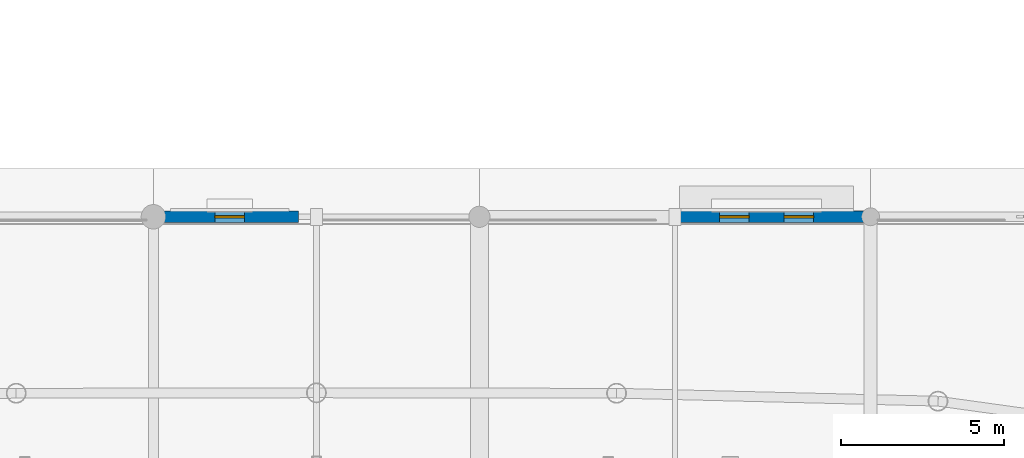
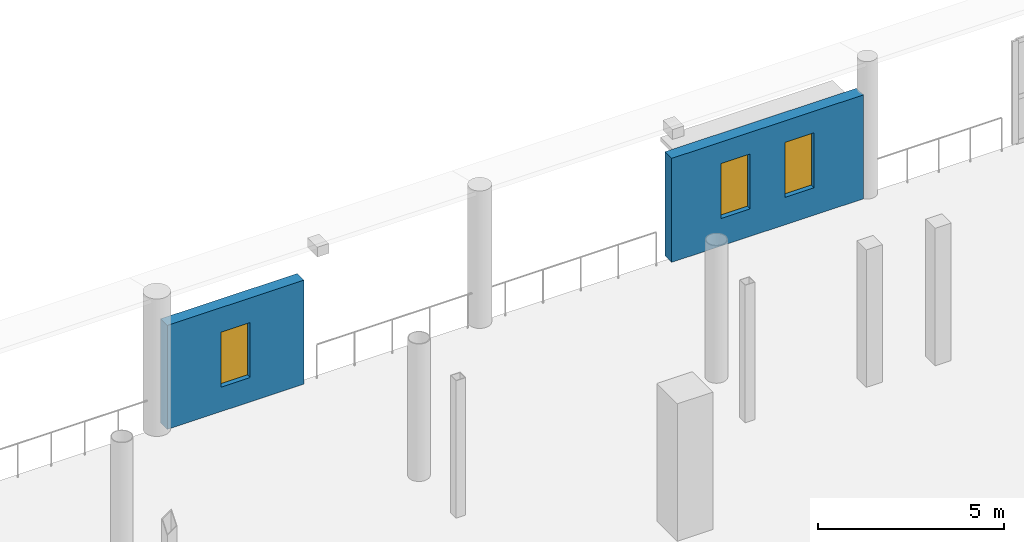
# One storey, part 85 of 118: 3 windows, 2 walls, 3 openings.
"""IFC4 building model written with IfcOpenShell, lengths in metres."""

import ifcopenshell
import ifcopenshell.guid

model = None  # the IFC model being written
_history = None  # IfcOwnerHistory: only IFC2X3 demands one
_inside = {}  # id of a spatial element -> (the spatial element, [elements in it])
_under = {}  # id of a project, library or spatial element -> (it, [spatial elements below it])
_declared = {}  # id of a project -> (the project, [libraries it declares])
_typed = {}  # id of a type object -> (the type object, [elements of that type])
_made_of = {}  # id of a material, layer set ... -> (it, [elements and type objects made of it])


def new_model(schema):
    """Start an empty IFC model of exactly this schema.

    Asked for "IFC4X3", IfcOpenShell would pick the latest addendum, in which some entities
    have other attributes; the version numbers below select the first issue.
    IFC2X3 requires an IfcOwnerHistory on every rooted entity: one is made here for all.
    """
    global model, _history
    if schema == "IFC4X3":
        model = ifcopenshell.file(schema_version=(4, 3, 0, 0))
    else:
        model = ifcopenshell.file(schema=schema)
    _inside.clear()
    _under.clear()
    _declared.clear()
    _typed.clear()
    _made_of.clear()
    _history = None
    if model.schema == "IFC2X3":
        org = make("IfcOrganization", Name="unknown")
        user = make(
            "IfcPersonAndOrganization",
            ThePerson=make("IfcPerson", FamilyName="unknown"),
            TheOrganization=org,
        )
        app = make(
            "IfcApplication",
            ApplicationDeveloper=org,
            Version="unknown",
            ApplicationFullName="unknown",
            ApplicationIdentifier="unknown",
        )
        _history = make(
            "IfcOwnerHistory",
            OwningUser=user,
            OwningApplication=app,
            ChangeAction="ADDED",
            CreationDate=0,
        )
    return model


def make(cls, **values):
    """One entity of the class cls with the attributes given. An attribute that is None is left unset."""
    return model.create_entity(
        cls, **{name: value for name, value in values.items() if value is not None}
    )


def rooted(cls, **values):
    """An entity with a GlobalId (a new one), such as an element, a storey or a relation."""
    return make(cls, GlobalId=ifcopenshell.guid.new(), OwnerHistory=_history, **values)


def si_unit(unit_type, name, prefix=None):
    """IfcSIUnit, for example si_unit("LENGTHUNIT", "METRE", prefix="MILLI")."""
    return make("IfcSIUnit", UnitType=unit_type, Prefix=prefix, Name=name)


def assignment(units):
    """IfcUnitAssignment: the units of a project."""
    return None if units is None else make("IfcUnitAssignment", Units=units)


def point(xyz):
    """IfcCartesianPoint."""
    return None if xyz is None else make("IfcCartesianPoint", Coordinates=xyz)


def direction(xyz):
    """IfcDirection."""
    return None if xyz is None else make("IfcDirection", DirectionRatios=xyz)


def frame(location, z_axis=None, x_axis=None):
    """IfcAxis2Placement3D, a coordinate frame: its origin and axes. An axis left out is left unset."""
    return make(
        "IfcAxis2Placement3D",
        Location=point(location),
        Axis=direction(z_axis),
        RefDirection=direction(x_axis),
    )


def frame_2d(location, x_axis=None):
    """IfcAxis2Placement2D, a coordinate frame in the plane: its origin and x axis."""
    return make(
        "IfcAxis2Placement2D", Location=point(location), RefDirection=direction(x_axis)
    )


def origin():
    """The frame at (0, 0, 0) with its axes left unset."""
    return frame((0.0, 0.0, 0.0))


def place(relative_to, where):
    """IfcLocalPlacement: puts the frame where relative to a parent placement (None: the world)."""
    return make(
        "IfcLocalPlacement", PlacementRelTo=relative_to, RelativePlacement=where
    )


def context(
    kind, dimensions, precision=None, world=None, true_north=None, identifier=None
):
    """IfcGeometricRepresentationContext, for example the 3D "Model" context."""
    return make(
        "IfcGeometricRepresentationContext",
        ContextIdentifier=identifier,
        ContextType=kind,
        CoordinateSpaceDimension=dimensions,
        Precision=precision,
        WorldCoordinateSystem=world,
        TrueNorth=true_north,
    )


def subcontext(parent, identifier, kind, view, scale=None):
    """IfcGeometricRepresentationSubContext, for example "Body" below "Model"."""
    return make(
        "IfcGeometricRepresentationSubContext",
        ContextIdentifier=identifier,
        ContextType=kind,
        ParentContext=parent,
        TargetScale=scale,
        TargetView=view,
    )


def project(units=None, contexts=None):
    """IfcProject with its units and contexts."""
    return rooted(
        "IfcProject",
        Name="project",
        RepresentationContexts=contexts,
        UnitsInContext=assignment(units),
    )


def spatial(cls, under=None, at=None, **own):
    """A site, building, storey or space (cls), placed at a placement, below another one or the project."""
    s = rooted(cls, ObjectPlacement=at, **own)
    if under is not None:
        _under.setdefault(under.id(), (under, []))[1].append(s)
    return s


def profile(cls, at=None, kind="AREA", **sizes):
    """A parametric profile (cls). Its sizes go by their IFC names, for example OverallWidth=200.0."""
    return make(cls, ProfileType=kind, Position=at, **sizes)


def rectangle(**sizes):
    """IfcRectangleProfileDef."""
    return profile("IfcRectangleProfileDef", **sizes)


def extrude(swept, where, along, depth):
    """IfcExtrudedAreaSolid: the profile swept, set in the frame where, extruded along a direction by depth."""
    return make(
        "IfcExtrudedAreaSolid",
        SweptArea=swept,
        Position=where,
        ExtrudedDirection=direction(along),
        Depth=depth,
    )


def shape(context_of_items, identifier, shape_type, items):
    """IfcShapeRepresentation: the items that make up one representation, for example the "Body"."""
    return make(
        "IfcShapeRepresentation",
        ContextOfItems=context_of_items,
        RepresentationIdentifier=identifier,
        RepresentationType=shape_type,
        Items=items,
    )


def material(Name=None, Category=None):
    """IfcMaterial."""
    return make("IfcMaterial", Name=Name, Category=Category)


def layer(
    of_material, thickness, ventilated=None, Name=None, Category=None, Priority=None
):
    """IfcMaterialLayer: one layer of a wall or slab, of a material (None: an air gap)."""
    return make(
        "IfcMaterialLayer",
        Material=of_material,
        LayerThickness=thickness,
        IsVentilated=ventilated,
        Name=Name,
        Category=Category,
        Priority=Priority,
    )


def layer_set(layers, Name=None):
    """IfcMaterialLayerSet."""
    return make("IfcMaterialLayerSet", MaterialLayers=layers, LayerSetName=Name)


def made_of(thing, what):
    """Note that an element or type object is made of a material, layer set ...; save() writes the relation."""
    if what is not None:
        _made_of.setdefault(what.id(), (what, []))[1].append(thing)
    return thing


def type_object(cls, material=None, **own):
    """A type object (cls), such as IfcWallType, which elements share."""
    return made_of(rooted(cls, **own), material)


def element(
    cls,
    number,
    at=None,
    inside=None,
    cuts=None,
    type_object=None,
    material=None,
    context=None,
    identifier="Body",
    shape_type=None,
    held_by="IfcProductDefinitionShape",
    body=None,
    shapes=None,
    **own,
):
    """One element of the class cls, such as IfcWall. Its Tag is "e" and its number.

    at: its placement. inside: the storey or other place that contains it. cuts: it is an
    opening in that element (IfcRelVoidsElement). A single representation is given by context,
    identifier, shape_type and body (its items); several are given by shapes. held_by: the class
    of the entity that holds the representations. save() writes the other relations.
    """
    e = rooted(cls, Tag="e%d" % number, ObjectPlacement=at, **own)
    if body is not None:
        shapes = [shape(context, identifier, shape_type, body)]
    if shapes is not None:
        e.Representation = make(held_by, Representations=shapes)
    if inside is not None:
        _inside.setdefault(inside.id(), (inside, []))[1].append(e)
    if cuts is not None:
        rooted(
            "IfcRelVoidsElement", RelatingBuildingElement=cuts, RelatedOpeningElement=e
        )
    if type_object is not None:
        _typed.setdefault(type_object.id(), (type_object, []))[1].append(e)
    return made_of(e, material)


def fill(opening, filler):
    """IfcRelFillsElement: the door or window that sits in an opening."""
    return rooted(
        "IfcRelFillsElement",
        RelatingOpeningElement=opening,
        RelatedBuildingElement=filler,
    )


def aggregate(whole, parts):
    """IfcRelAggregates: a whole, such as a stair, and the parts it consists of."""
    return rooted("IfcRelAggregates", RelatingObject=whole, RelatedObjects=parts)


def save(model, path):
    """Write the relations noted so far, then the file.

    IfcRelAggregates (storeys below a building ...), IfcRelContainedInSpatialStructure (elements
    in a storey), IfcRelDefinesByType, IfcRelAssociatesMaterial and IfcRelDeclares: one each for
    every whole, place, type object, material and project.
    """
    for whole, parts in _under.values():
        aggregate(whole, parts)
    for where, things in _inside.values():
        rooted(
            "IfcRelContainedInSpatialStructure",
            RelatedElements=things,
            RelatingStructure=where,
        )
    for kind, things in _typed.values():
        rooted("IfcRelDefinesByType", RelatedObjects=things, RelatingType=kind)
    for what, things in _made_of.values():
        rooted("IfcRelAssociatesMaterial", RelatedObjects=things, RelatingMaterial=what)
    for by, libraries in _declared.values():
        rooted("IfcRelDeclares", RelatingContext=by, RelatedDefinitions=libraries)
    model.write(path)


model = new_model("IFC4")

# Units and contexts
model_context = context("Model", 3, precision=1e-05, world=origin(), true_north=direction((0.0, 1.0)))
body_context = subcontext(model_context, "Body", "Model", "MODEL_VIEW")
ifc_project = project(units=[si_unit("LENGTHUNIT", "METRE"), si_unit("AREAUNIT", "SQUARE_METRE"), si_unit("VOLUMEUNIT", "CUBIC_METRE"), si_unit("PLANEANGLEUNIT", "RADIAN"), si_unit("MASSUNIT", "GRAM", prefix="KILO")], contexts=[model_context])

# Site, building, storey
site_placement = place(None, origin())
site = spatial("IfcSite", under=ifc_project, at=site_placement, CompositionType="ELEMENT")
building_placement = place(site_placement, origin())
building = spatial("IfcBuilding", under=site, at=building_placement, Name="Luwafu Chhajja Arena", CompositionType="ELEMENT")
storey_placement = place(building_placement, frame((0.0, 0.0, 10.199951171875)))
storey = spatial("IfcBuildingStorey", under=building, at=storey_placement, Name="L02", CompositionType="ELEMENT", Elevation=10.199951171875)

# Wall, opening, window
ifc_material_1 = material(Name="Concrete C35/45", Category="concrete")
ifc_layer = layer(ifc_material_1, 0.360107421875, Name="Concrete C35/45")
ifc_layer_set = layer_set([ifc_layer], Name="Concrete C35/45")
wall_type = type_object("IfcWallType", Name="Sandstone Backed Exterior Wall 360", PredefinedType="SOLIDWALL", material=ifc_layer_set)
wall_1_placement = place(storey_placement, frame((94.219970703125, 99.0, 0.0), z_axis=(0.0, 0.0, 1.0), x_axis=(1.0, 0.0, 0.0)))
wall_1 = element("IfcWall", 1, at=wall_1_placement, inside=storey, type_object=wall_type, Name="L02 Exterior Wall WEX-L02-164", PredefinedType="SOLIDWALL", context=body_context, shape_type="SweptSolid", body=[
    extrude(rectangle(XDim=4.238037109375, YDim=0.360107421875, at=frame_2d((2.119140625, 0.0))), origin(), (0.0, 0.0, 1.0), 3.405029296875),
])
opening_1_placement = place(wall_1_placement, frame((1.669189453125, 0.0, 0.800048828125)))
opening_1 = element("IfcOpeningElement", 2, at=opening_1_placement, cuts=wall_1, Name="Opening WN-16", PredefinedType="OPENING", context=body_context, shape_type="SweptSolid", body=[
    extrude(rectangle(XDim=0.89990234375, YDim=1.800048828125, at=frame_2d((0.449951171875, 0.89990234375))), frame((0.0, 0.18994140625, 0.0), z_axis=(0.0, -1.0, 0.0), x_axis=(1.0, 0.0, 0.0)), (0.0, 0.0, 1.0), 0.380126953125),
])
ifc_material_2 = material(Name="Solar-control laminated glass", Category="glass")
window_type = type_object("IfcWindowType", Name="Stair Core Daylight Slot Window 900x1800", PartitioningType="SINGLE_PANEL", PredefinedType="WINDOW", material=ifc_material_2)
window_1_placement = place(opening_1_placement, origin())
window_1 = element("IfcWindow", 3, at=window_1_placement, inside=storey, type_object=window_type, Name="L02 Facade Window 098", OverallHeight=1.800048828125, OverallWidth=0.89990234375, PartitioningType="SINGLE_PANEL", PredefinedType="WINDOW", context=body_context, shape_type="SweptSolid", body=[
    extrude(rectangle(XDim=0.89990234375, YDim=1.800048828125, at=frame_2d((0.449951171875, 0.89990234375))), frame((0.0, 0.030029296875, 0.0), z_axis=(0.0, -1.0, 0.0), x_axis=(1.0, 0.0, 0.0)), (0.0, 0.0, 1.0), 0.06005859375),
])
fill(opening_1, window_1)

# Wall, openings, windows
wall_2_placement = place(storey_placement, frame((109.843017578125, 99.0, 0.0), z_axis=(0.0, 0.0, 1.0), x_axis=(1.0, 0.0, 0.0)))
wall_2 = element("IfcWall", 4, at=wall_2_placement, inside=storey, type_object=wall_type, Name="L02 Exterior Wall WEX-L02-165", PredefinedType="SOLIDWALL", context=body_context, shape_type="SweptSolid", body=[
    extrude(rectangle(XDim=5.93701171875, YDim=0.360107421875, at=frame_2d((2.968505859375, 0.0))), origin(), (0.0, 0.0, 1.0), 3.405029296875),
])
opening_2_placement = place(wall_2_placement, frame((1.529052734375, 0.0, 0.89990234375)))
opening_2 = element("IfcOpeningElement", 5, at=opening_2_placement, cuts=wall_2, Name="Opening WN-16", PredefinedType="OPENING", context=body_context, shape_type="SweptSolid", body=[
    extrude(rectangle(XDim=0.89990234375, YDim=1.800048828125, at=frame_2d((0.449951171875, 0.89990234375))), frame((0.0, 0.18994140625, 0.0), z_axis=(0.0, -1.0, 0.0), x_axis=(1.0, 0.0, 0.0)), (0.0, 0.0, 1.0), 0.380126953125),
])
opening_3_placement = place(wall_2_placement, frame((3.508056640625, 0.0, 0.89990234375)))
opening_3 = element("IfcOpeningElement", 6, at=opening_3_placement, cuts=wall_2, Name="Opening WN-16", PredefinedType="OPENING", context=body_context, shape_type="SweptSolid", body=[
    extrude(rectangle(XDim=0.89990234375, YDim=1.800048828125, at=frame_2d((0.449951171875, 0.89990234375))), frame((0.0, 0.18994140625, 0.0), z_axis=(0.0, -1.0, 0.0), x_axis=(1.0, 0.0, 0.0)), (0.0, 0.0, 1.0), 0.380126953125),
])
window_2_placement = place(opening_2_placement, origin())
window_2 = element("IfcWindow", 7, at=window_2_placement, inside=storey, type_object=window_type, Name="L02 Facade Window 099", OverallHeight=1.800048828125, OverallWidth=0.89990234375, PartitioningType="SINGLE_PANEL", PredefinedType="WINDOW", context=body_context, shape_type="SweptSolid", body=[
    extrude(rectangle(XDim=0.89990234375, YDim=1.800048828125, at=frame_2d((0.449951171875, 0.89990234375))), frame((0.0, 0.030029296875, 0.0), z_axis=(0.0, -1.0, 0.0), x_axis=(1.0, 0.0, 0.0)), (0.0, 0.0, 1.0), 0.06005859375),
])
fill(opening_2, window_2)
window_3_placement = place(opening_3_placement, origin())
window_3 = element("IfcWindow", 8, at=window_3_placement, inside=storey, type_object=window_type, Name="L02 Facade Window 100", OverallHeight=1.800048828125, OverallWidth=0.89990234375, PartitioningType="SINGLE_PANEL", PredefinedType="WINDOW", context=body_context, shape_type="SweptSolid", body=[
    extrude(rectangle(XDim=0.89990234375, YDim=1.800048828125, at=frame_2d((0.449951171875, 0.89990234375))), frame((0.0, 0.030029296875, 0.0), z_axis=(0.0, -1.0, 0.0), x_axis=(1.0, 0.0, 0.0)), (0.0, 0.0, 1.0), 0.06005859375),
])
fill(opening_3, window_3)

save(model, "model.ifc")
